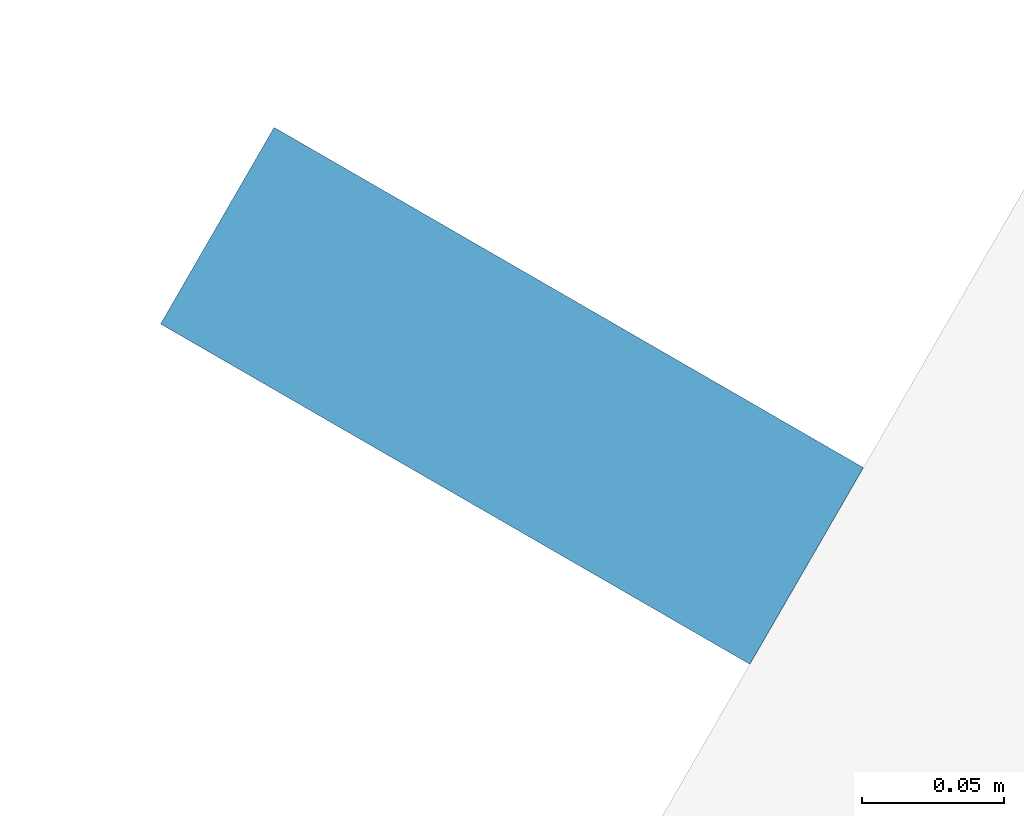
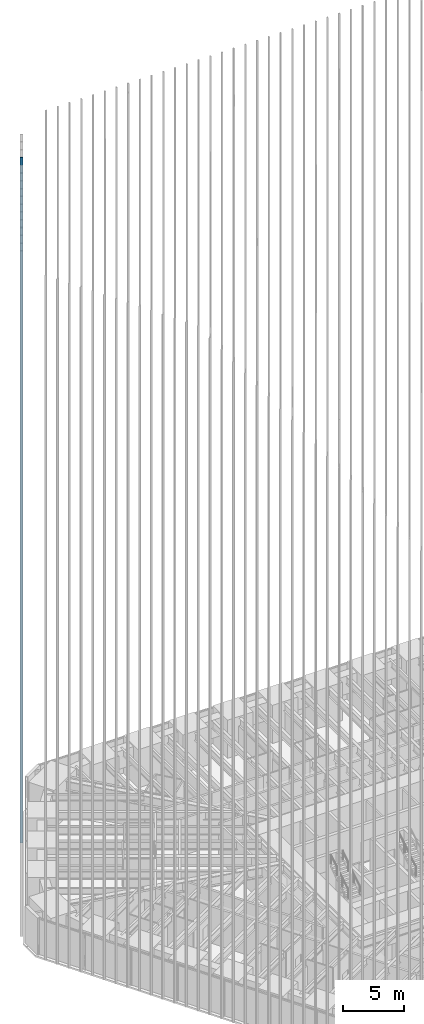
# One storey, part 155 of 256: 1 member, 1 element without a shape of its own.
"""IFC4 building model written with IfcOpenShell, lengths in metres."""

from ifc_helpers import new_model, si_unit, direction, frame, origin, origin_2d, place, context, subcontext, project, spatial, rectangle, extrude, material, material_profile, profile_set, type_object, element, aggregate, save


model = new_model("IFC4")

# Units and contexts
model_context = context("Model", 3, precision=1e-05, world=origin(), true_north=direction((0.0, 1.0)))
body_context = subcontext(model_context, "Body", "Model", "MODEL_VIEW")
ifc_project = project(units=[si_unit("LENGTHUNIT", "METRE"), si_unit("AREAUNIT", "SQUARE_METRE"), si_unit("VOLUMEUNIT", "CUBIC_METRE"), si_unit("PLANEANGLEUNIT", "RADIAN"), si_unit("MASSUNIT", "GRAM", prefix="KILO")], contexts=[model_context])

# Site, building, storey
site_placement = place(None, origin())
site = spatial("IfcSite", under=ifc_project, at=site_placement, CompositionType="ELEMENT")
building_placement = place(site_placement, origin())
building = spatial("IfcBuilding", under=site, at=building_placement, Name="Sandreach Pilgrim Tower", CompositionType="ELEMENT")
storey_placement = place(building_placement, frame((0.0, 0.0, 23.0)))
storey = spatial("IfcBuildingStorey", under=building, at=storey_placement, Name="L04", CompositionType="ELEMENT", Elevation=23.0)

# Curtain wall, member
ifc_material_1 = material(Name="Aluminium framed curtain wall", Category="aluminium")
curtain_wall_type = type_object("IfcCurtainWallType", Name="Hostel tower curtain wall", PredefinedType="NOTDEFINED", material=ifc_material_1)
curtain_wall_placement = place(storey_placement, origin())
curtain_wall = element("IfcCurtainWall", 1, at=curtain_wall_placement, inside=storey, type_object=curtain_wall_type, Name="CW-1 L04 NW", PredefinedType="NOTDEFINED")
ifc_material_2 = material(Name="Extruded terracotta on aluminium core", Category="masonry")
ifc_material_profile = material_profile(ifc_material_2, rectangle(XDim=0.080078125, YDim=0.239990234375, at=origin_2d()), Name="TBW 80X240")
ifc_profile_set = profile_set([ifc_material_profile], Name="Extruded terracotta on aluminium core")
member_type = type_object("IfcMemberType", Name="Terracotta baguette west", PredefinedType="USERDEFINED", material=ifc_profile_set)
member_placement = place(storey_placement, frame((-23.86181640625, 19.531982421875, 0.0), z_axis=(0.0, 0.0, 1.0), x_axis=(0.5, 0.866025403784, 0.0)))
member = element("IfcMember", 2, at=member_placement, type_object=member_type, Name="Baguette Z1 NW13", ObjectType="BAGUETTE", PredefinedType="USERDEFINED", context=body_context, shape_type="SweptSolid", body=[
    extrude(rectangle(XDim=0.080078125, YDim=0.239990234375, at=origin_2d()), origin(), (0.0, 0.0, 1.0), 68.239990234375),
])
aggregate(curtain_wall, [member])

save(model, "model.ifc")
